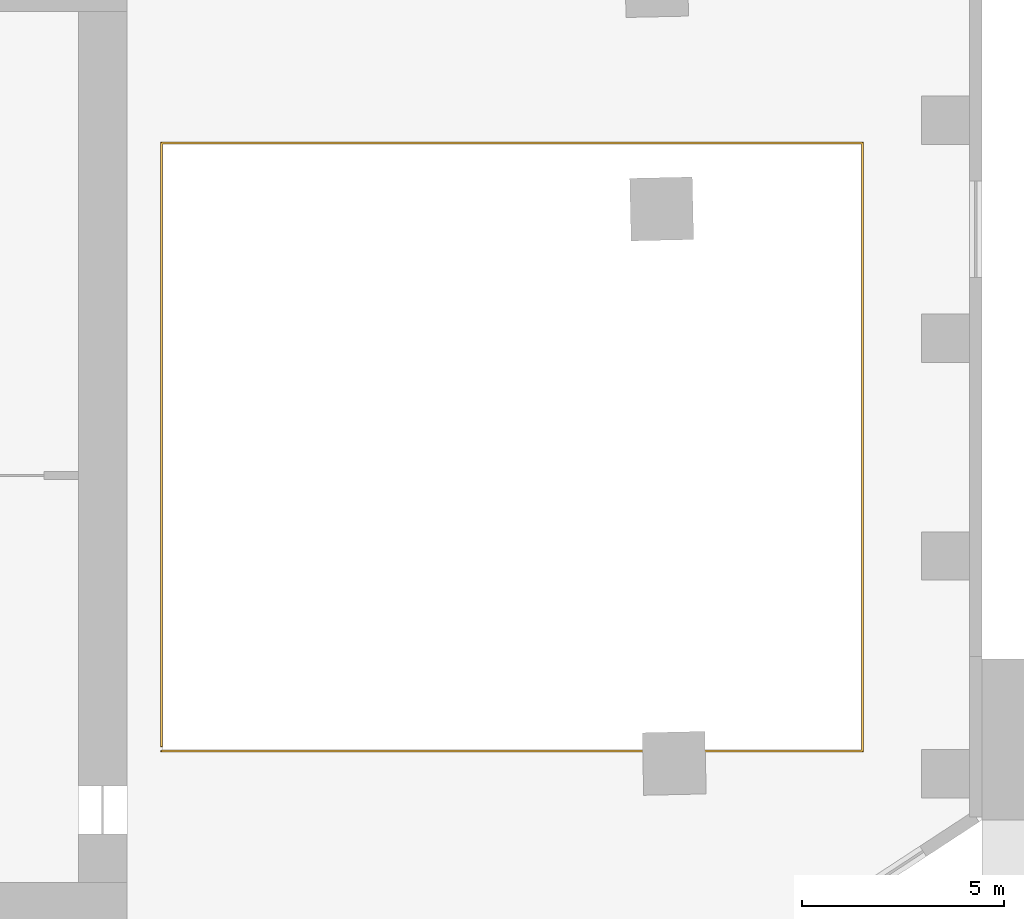
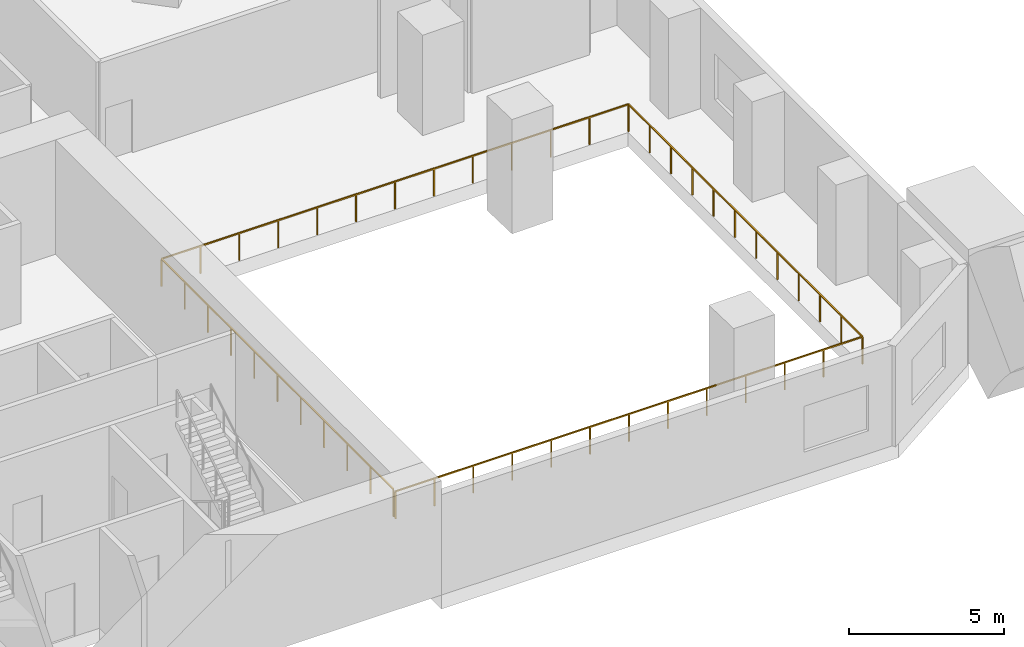
# One storey, part 12 of 12: 1 railing.
"""IFC4 building model written with IfcOpenShell, lengths in metres."""

from ifc_helpers import new_model, si_unit, direction, frame, origin, origin_2d, place, context, subcontext, project, spatial, rectangle, extrude, material, type_object, element, save


model = new_model("IFC4")

# Units and contexts
model_context = context("Model", 3, precision=1e-05, world=origin(), true_north=direction((0.0, 1.0)))
body_context = subcontext(model_context, "Body", "Model", "MODEL_VIEW")
ifc_project = project(units=[si_unit("LENGTHUNIT", "METRE"), si_unit("AREAUNIT", "SQUARE_METRE"), si_unit("VOLUMEUNIT", "CUBIC_METRE"), si_unit("PLANEANGLEUNIT", "RADIAN"), si_unit("MASSUNIT", "GRAM", prefix="KILO")], contexts=[model_context])

# Site, building, storey
site_placement = place(None, origin())
site = spatial("IfcSite", under=ifc_project, at=site_placement, CompositionType="ELEMENT")
building_placement = place(site_placement, origin())
building = spatial("IfcBuilding", under=site, at=building_placement, Name="Mangrove Gate Tower", CompositionType="ELEMENT")
storey_placement = place(building_placement, frame((0.0, 0.0, 16.0)))
storey = spatial("IfcBuildingStorey", under=building, at=storey_placement, Name="L03", CompositionType="ELEMENT", Elevation=16.0)

# Railing
ifc_material = material(Name="Stainless steel grade 316 with laminated glass infill", Category="steel")
railing_type = type_object("IfcRailingType", Name="Balcony guard 1100", PredefinedType="GUARDRAIL", material=ifc_material)
railing_placement = place(storey_placement, frame((15.860107421875, -7.5400390625, 0.0)))
element("IfcRailing", 1, at=railing_placement, inside=storey, type_object=railing_type, Name="GUARD L03 atrium", PredefinedType="GUARDRAIL", context=body_context, shape_type="SweptSolid", body=[
    extrude(rectangle(XDim=0.048095703125, YDim=0.048095703125, at=origin_2d()), frame((0.0, 0.0, 1.076171875), z_axis=(1.0, 0.0, 0.0), x_axis=(0.0, 1.0, 0.0)), (0.0, 0.0, 1.0), 17.3798828125),
    extrude(rectangle(XDim=0.048095703125, YDim=0.048095703125, at=origin_2d()), frame((17.3798828125, 0.0, 1.076171875), z_axis=(0.0, 1.0, 0.0), x_axis=(-1.0, 0.0, 0.0)), (0.0, 0.0, 1.0), 15.080078125),
    extrude(rectangle(XDim=0.048095703125, YDim=0.048095703125, at=origin_2d()), frame((17.3798828125, 15.080078125, 1.076171875), z_axis=(-1.0, 0.0, 0.0), x_axis=(0.0, -1.0, 0.0)), (0.0, 0.0, 1.0), 17.3798828125),
    extrude(rectangle(XDim=0.048095703125, YDim=0.048095703125, at=origin_2d()), frame((0.0, 15.080078125, 1.076171875), z_axis=(0.0, -1.0, 0.0), x_axis=(1.0, 0.0, 0.0)), (0.0, 0.0, 1.0), 14.9599609375),
    extrude(rectangle(XDim=0.0419921875, YDim=0.0419921875, at=origin_2d()), origin(), (0.0, 0.0, 1.0), 1.052001953125),
    extrude(rectangle(XDim=0.0419921875, YDim=0.0419921875, at=origin_2d()), frame((1.4482421875, 0.0, 0.0)), (0.0, 0.0, 1.0), 1.052001953125),
    extrude(rectangle(XDim=0.0419921875, YDim=0.0419921875, at=origin_2d()), frame((2.896728515625, 0.0, 0.0)), (0.0, 0.0, 1.0), 1.052001953125),
    extrude(rectangle(XDim=0.0419921875, YDim=0.0419921875, at=origin_2d()), frame((4.344970703125, 0.0, 0.0)), (0.0, 0.0, 1.0), 1.052001953125),
    extrude(rectangle(XDim=0.0419921875, YDim=0.0419921875, at=origin_2d()), frame((5.793212890625, 0.0, 0.0)), (0.0, 0.0, 1.0), 1.052001953125),
    extrude(rectangle(XDim=0.0419921875, YDim=0.0419921875, at=origin_2d()), frame((7.24169921875, 0.0, 0.0)), (0.0, 0.0, 1.0), 1.052001953125),
    extrude(rectangle(XDim=0.0419921875, YDim=0.0419921875, at=origin_2d()), frame((8.68994140625, 0.0, 0.0)), (0.0, 0.0, 1.0), 1.052001953125),
    extrude(rectangle(XDim=0.0419921875, YDim=0.0419921875, at=origin_2d()), frame((10.13818359375, 0.0, 0.0)), (0.0, 0.0, 1.0), 1.052001953125),
    extrude(rectangle(XDim=0.0419921875, YDim=0.0419921875, at=origin_2d()), frame((11.586669921875, 0.0, 0.0)), (0.0, 0.0, 1.0), 1.052001953125),
    extrude(rectangle(XDim=0.0419921875, YDim=0.0419921875, at=origin_2d()), frame((13.034912109375, 0.0, 0.0)), (0.0, 0.0, 1.0), 1.052001953125),
    extrude(rectangle(XDim=0.0419921875, YDim=0.0419921875, at=origin_2d()), frame((14.483154296875, 0.0, 0.0)), (0.0, 0.0, 1.0), 1.052001953125),
    extrude(rectangle(XDim=0.0419921875, YDim=0.0419921875, at=origin_2d()), frame((15.931640625, 0.0, 0.0)), (0.0, 0.0, 1.0), 1.052001953125),
    extrude(rectangle(XDim=0.0419921875, YDim=0.0419921875, at=origin_2d()), frame((17.3798828125, 0.0, 0.0)), (0.0, 0.0, 1.0), 1.052001953125),
    extrude(rectangle(XDim=0.0419921875, YDim=0.0419921875, at=origin_2d()), frame((17.3798828125, 1.370849609375, 0.0)), (0.0, 0.0, 1.0), 1.052001953125),
    extrude(rectangle(XDim=0.0419921875, YDim=0.0419921875, at=origin_2d()), frame((17.3798828125, 2.741943359375, 0.0)), (0.0, 0.0, 1.0), 1.052001953125),
    extrude(rectangle(XDim=0.0419921875, YDim=0.0419921875, at=origin_2d()), frame((17.3798828125, 4.11279296875, 0.0)), (0.0, 0.0, 1.0), 1.052001953125),
    extrude(rectangle(XDim=0.0419921875, YDim=0.0419921875, at=origin_2d()), frame((17.3798828125, 5.483642578125, 0.0)), (0.0, 0.0, 1.0), 1.052001953125),
    extrude(rectangle(XDim=0.0419921875, YDim=0.0419921875, at=origin_2d()), frame((17.3798828125, 6.8544921875, 0.0)), (0.0, 0.0, 1.0), 1.052001953125),
    extrude(rectangle(XDim=0.0419921875, YDim=0.0419921875, at=origin_2d()), frame((17.3798828125, 8.2255859375, 0.0)), (0.0, 0.0, 1.0), 1.052001953125),
    extrude(rectangle(XDim=0.0419921875, YDim=0.0419921875, at=origin_2d()), frame((17.3798828125, 9.596435546875, 0.0)), (0.0, 0.0, 1.0), 1.052001953125),
    extrude(rectangle(XDim=0.0419921875, YDim=0.0419921875, at=origin_2d()), frame((17.3798828125, 10.96728515625, 0.0)), (0.0, 0.0, 1.0), 1.052001953125),
    extrude(rectangle(XDim=0.0419921875, YDim=0.0419921875, at=origin_2d()), frame((17.3798828125, 12.338134765625, 0.0)), (0.0, 0.0, 1.0), 1.052001953125),
    extrude(rectangle(XDim=0.0419921875, YDim=0.0419921875, at=origin_2d()), frame((17.3798828125, 13.709228515625, 0.0)), (0.0, 0.0, 1.0), 1.052001953125),
    extrude(rectangle(XDim=0.0419921875, YDim=0.0419921875, at=origin_2d()), frame((17.3798828125, 15.080078125, 0.0)), (0.0, 0.0, 1.0), 1.052001953125),
    extrude(rectangle(XDim=0.0419921875, YDim=0.0419921875, at=origin_2d()), frame((15.931640625, 15.080078125, 0.0)), (0.0, 0.0, 1.0), 1.052001953125),
    extrude(rectangle(XDim=0.0419921875, YDim=0.0419921875, at=origin_2d()), frame((14.483154296875, 15.080078125, 0.0)), (0.0, 0.0, 1.0), 1.052001953125),
    extrude(rectangle(XDim=0.0419921875, YDim=0.0419921875, at=origin_2d()), frame((13.034912109375, 15.080078125, 0.0)), (0.0, 0.0, 1.0), 1.052001953125),
    extrude(rectangle(XDim=0.0419921875, YDim=0.0419921875, at=origin_2d()), frame((11.586669921875, 15.080078125, 0.0)), (0.0, 0.0, 1.0), 1.052001953125),
    extrude(rectangle(XDim=0.0419921875, YDim=0.0419921875, at=origin_2d()), frame((10.13818359375, 15.080078125, 0.0)), (0.0, 0.0, 1.0), 1.052001953125),
    extrude(rectangle(XDim=0.0419921875, YDim=0.0419921875, at=origin_2d()), frame((8.68994140625, 15.080078125, 0.0)), (0.0, 0.0, 1.0), 1.052001953125),
    extrude(rectangle(XDim=0.0419921875, YDim=0.0419921875, at=origin_2d()), frame((7.24169921875, 15.080078125, 0.0)), (0.0, 0.0, 1.0), 1.052001953125),
    extrude(rectangle(XDim=0.0419921875, YDim=0.0419921875, at=origin_2d()), frame((5.793212890625, 15.080078125, 0.0)), (0.0, 0.0, 1.0), 1.052001953125),
    extrude(rectangle(XDim=0.0419921875, YDim=0.0419921875, at=origin_2d()), frame((4.344970703125, 15.080078125, 0.0)), (0.0, 0.0, 1.0), 1.052001953125),
    extrude(rectangle(XDim=0.0419921875, YDim=0.0419921875, at=origin_2d()), frame((2.896728515625, 15.080078125, 0.0)), (0.0, 0.0, 1.0), 1.052001953125),
    extrude(rectangle(XDim=0.0419921875, YDim=0.0419921875, at=origin_2d()), frame((1.4482421875, 15.080078125, 0.0)), (0.0, 0.0, 1.0), 1.052001953125),
    extrude(rectangle(XDim=0.0419921875, YDim=0.0419921875, at=origin_2d()), frame((0.0, 15.080078125, 0.0)), (0.0, 0.0, 1.0), 1.052001953125),
    extrude(rectangle(XDim=0.0419921875, YDim=0.0419921875, at=origin_2d()), frame((0.0, 13.583984375, 0.0)), (0.0, 0.0, 1.0), 1.052001953125),
    extrude(rectangle(XDim=0.0419921875, YDim=0.0419921875, at=origin_2d()), frame((0.0, 12.088134765625, 0.0)), (0.0, 0.0, 1.0), 1.052001953125),
    extrude(rectangle(XDim=0.0419921875, YDim=0.0419921875, at=origin_2d()), frame((0.0, 10.592041015625, 0.0)), (0.0, 0.0, 1.0), 1.052001953125),
    extrude(rectangle(XDim=0.0419921875, YDim=0.0419921875, at=origin_2d()), frame((0.0, 9.09619140625, 0.0)), (0.0, 0.0, 1.0), 1.052001953125),
    extrude(rectangle(XDim=0.0419921875, YDim=0.0419921875, at=origin_2d()), frame((0.0, 7.60009765625, 0.0)), (0.0, 0.0, 1.0), 1.052001953125),
    extrude(rectangle(XDim=0.0419921875, YDim=0.0419921875, at=origin_2d()), frame((0.0, 6.10400390625, 0.0)), (0.0, 0.0, 1.0), 1.052001953125),
    extrude(rectangle(XDim=0.0419921875, YDim=0.0419921875, at=origin_2d()), frame((0.0, 4.608154296875, 0.0)), (0.0, 0.0, 1.0), 1.052001953125),
    extrude(rectangle(XDim=0.0419921875, YDim=0.0419921875, at=origin_2d()), frame((0.0, 3.112060546875, 0.0)), (0.0, 0.0, 1.0), 1.052001953125),
    extrude(rectangle(XDim=0.0419921875, YDim=0.0419921875, at=origin_2d()), frame((0.0, 1.6162109375, 0.0)), (0.0, 0.0, 1.0), 1.052001953125),
    extrude(rectangle(XDim=0.0419921875, YDim=0.0419921875, at=origin_2d()), frame((0.0, 0.1201171875, 0.0)), (0.0, 0.0, 1.0), 1.052001953125),
])

save(model, "model.ifc")
